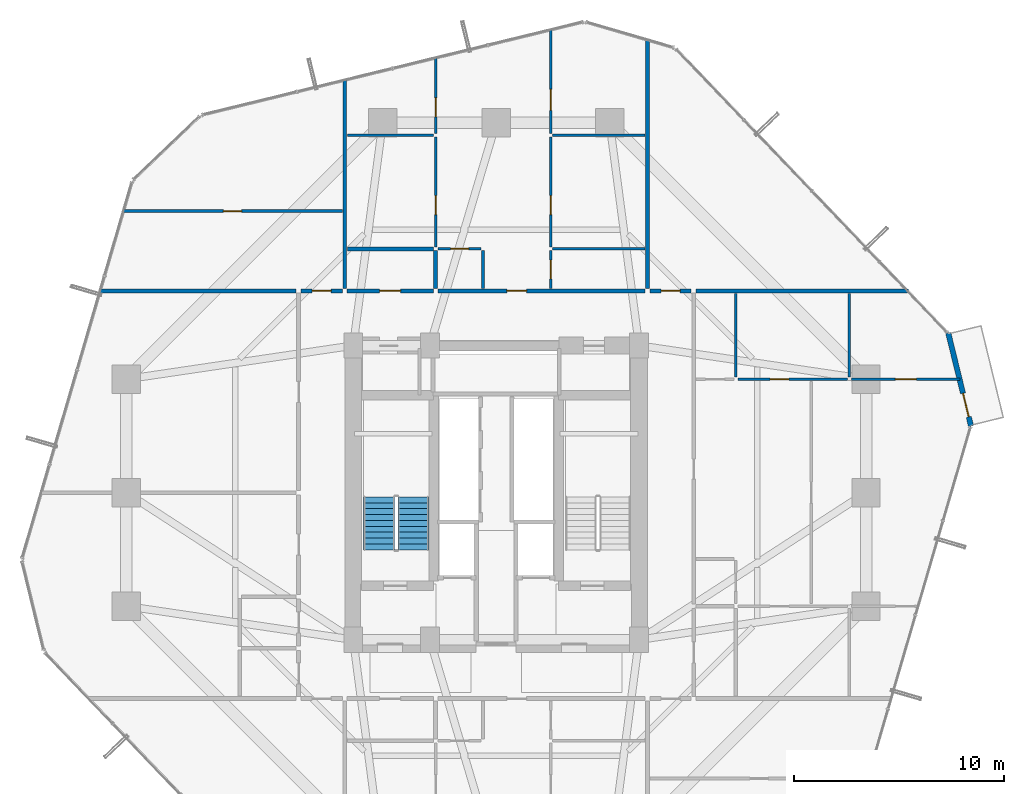
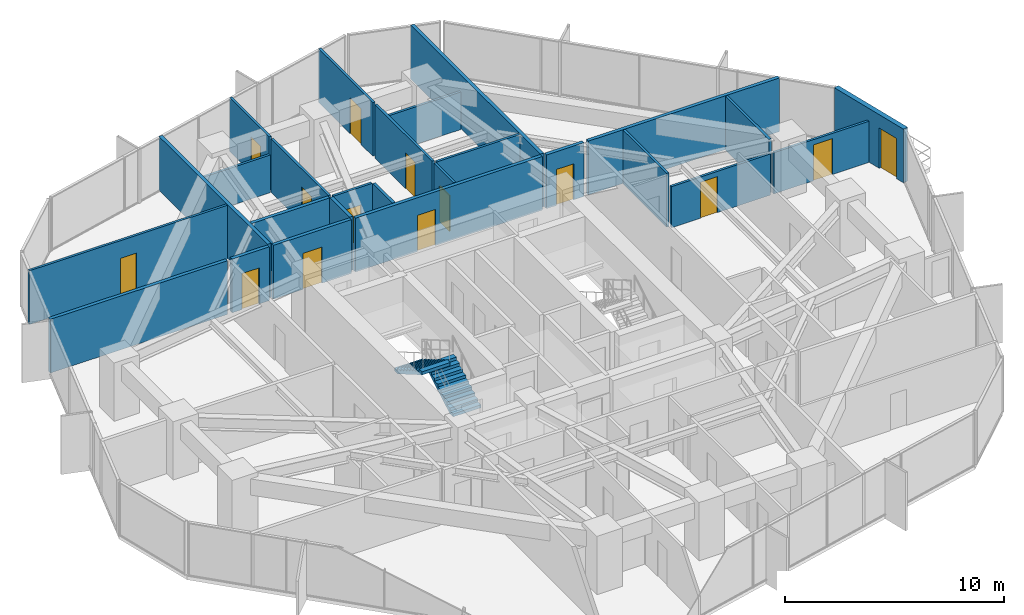
# One storey, part 34 of 37: 26 walls, 14 doors, 2 stair flights, 14 openings, 1 element without a shape of its own.
"""IFC4 building model written with IfcOpenShell, lengths in metres."""

from ifc_helpers import new_model, si_unit, direction, frame, frame_2d, origin, place, context, subcontext, project, spatial, polyline, rectangle, outline, extrude, source, transform, mapped, material, layer, layer_set, type_object, element, fill, aggregate, save


model = new_model("IFC4")

# Units and contexts
model_context = context("Model", 3, precision=1e-05, world=origin(), true_north=direction((0.0, 1.0)))
body_context = subcontext(model_context, "Body", "Model", "MODEL_VIEW")
ifc_project = project(units=[si_unit("LENGTHUNIT", "METRE"), si_unit("AREAUNIT", "SQUARE_METRE"), si_unit("VOLUMEUNIT", "CUBIC_METRE"), si_unit("PLANEANGLEUNIT", "RADIAN"), si_unit("MASSUNIT", "GRAM", prefix="KILO")], contexts=[model_context])

# Site, building, storey
site_placement = place(None, origin())
site = spatial("IfcSite", under=ifc_project, at=site_placement, CompositionType="ELEMENT")
building_placement = place(site_placement, origin())
building = spatial("IfcBuilding", under=site, at=building_placement, Name="Veraguas Prism Commons", CompositionType="ELEMENT")
storey_placement = place(building_placement, frame((0.0, 0.0, 70.60009765625)))
storey = spatial("IfcBuildingStorey", under=building, at=storey_placement, Name="L19", CompositionType="ELEMENT", Elevation=70.60009765625)

# Walls
ifc_material_1 = material(Name="Autoclaved aerated masonry block 10 MPa", Category="masonry")
ifc_layer_1 = layer(ifc_material_1, 0.179931640625, Name="Corridor and Inter-Tenancy Partition 180", Category="masonry")
ifc_layer_set_1 = layer_set([ifc_layer_1], Name="Autoclaved aerated masonry block 10 MPa")
wall_type_1 = type_object("IfcWallType", Name="Corridor and Inter-Tenancy Partition 180", PredefinedType="PARTITIONING", material=ifc_layer_set_1)
wall_1_placement = place(storey_placement, frame((16.800048828125, 33.719970703125, 0.0), z_axis=(0.0, 0.0, 1.0), x_axis=(0.0, 1.0, 0.0)))
element("IfcWall", 1, at=wall_1_placement, inside=storey, type_object=wall_type_1, Name="WL-L19-PT017", PredefinedType="PARTITIONING", context=body_context, shape_type="SweptSolid", body=[
    extrude(rectangle(XDim=9.9482421875, YDim=0.179931640625, at=frame_2d((4.97412109375, 0.0))), origin(), (0.0, 0.0, 1.0), 3.0),
])
wall_2_placement = place(storey_placement, frame((31.199951171875, 33.719970703125, 0.0), z_axis=(0.0, 0.0, 1.0), x_axis=(0.0, 1.0, 0.0)))
element("IfcWall", 2, at=wall_2_placement, inside=storey, type_object=wall_type_1, Name="WL-L19-PT018", PredefinedType="PARTITIONING", context=body_context, shape_type="SweptSolid", body=[
    extrude(rectangle(XDim=11.85791015625, YDim=0.179931640625, at=frame_2d((5.928955078125, 0.0))), origin(), (0.0, 0.0, 1.0), 3.0),
])

# Wall, opening, door
wall_3_placement = place(storey_placement, frame((16.909912109375, 33.60009765625, 0.0), z_axis=(0.0, 0.0, 1.0), x_axis=(1.0, 0.0, 0.0)))
wall_3 = element("IfcWall", 3, at=wall_3_placement, inside=storey, type_object=wall_type_1, Name="WL-L19-PT019", PredefinedType="PARTITIONING", context=body_context, shape_type="SweptSolid", body=[
    extrude(rectangle(XDim=4.10009765625, YDim=0.179931640625, at=frame_2d((2.050048828125, 0.0))), origin(), (0.0, 0.0, 1.0), 3.0),
])
opening_1_placement = place(wall_3_placement, frame((1.550048828125, 0.0, 0.0)))
opening_1 = element("IfcOpeningElement", 4, at=opening_1_placement, cuts=wall_3, Name="Opening DR-13", PredefinedType="OPENING", context=body_context, shape_type="SweptSolid", body=[
    extrude(rectangle(XDim=1.0, YDim=2.010009765625, at=frame_2d((0.5, 1.0048828125))), frame((0.0, 0.099853515625, 0.0), z_axis=(0.0, -1.0, 0.0), x_axis=(1.0, 0.0, 0.0)), (0.0, 0.0, 1.0), 0.199951171875),
])
ifc_material_2 = material(Name="Steel fire-rated door assembly", Category="steel")
door_type_1 = type_object("IfcDoorType", Name="Core Accessible WC and Clinic Fire Door 1000x2010", OperationType="NOTDEFINED", PredefinedType="DOOR", material=ifc_material_2)
shared_shape_1 = source(origin(), body_context, "Body", "SweptSolid", [
    extrude(rectangle(XDim=1.0, YDim=2.010009765625, at=frame_2d((0.5, 1.0048828125))), frame((0.0, 0.02490234375, 0.0), z_axis=(0.0, -1.0, 0.0), x_axis=(1.0, 0.0, 0.0)), (0.0, 0.0, 1.0), 0.050048828125),
])
door_1_placement = place(opening_1_placement, origin())
door_1 = element("IfcDoor", 5, at=door_1_placement, inside=storey, type_object=door_type_1, Name="Residents Study Alcove 19B Door", OperationType="SINGLE_SWING_RIGHT", OverallHeight=2.010009765625, OverallWidth=1.0, PredefinedType="DOOR", context=body_context, shape_type="MappedRepresentation", body=[
    mapped(shared_shape_1, transform((0.0, 0.0, 0.0), scale=1.0)),
])
fill(opening_1, door_1)

wall_4_placement = place(storey_placement, frame((21.22998046875, 33.60009765625, 0.0), z_axis=(0.0, 0.0, 1.0), x_axis=(1.0, 0.0, 0.0)))
wall_4 = element("IfcWall", 6, at=wall_4_placement, inside=storey, type_object=wall_type_1, Name="WL-L19-PT020", PredefinedType="PARTITIONING", context=body_context, shape_type="SweptSolid", body=[
    extrude(rectangle(XDim=9.860107421875, YDim=0.179931640625, at=frame_2d((4.93017578125, 0.0))), origin(), (0.0, 0.0, 1.0), 3.0),
])
opening_2_placement = place(wall_4_placement, frame((3.27587890625, 0.0, 0.0)))
opening_2 = element("IfcOpeningElement", 7, at=opening_2_placement, cuts=wall_4, Name="Opening DR-01", PredefinedType="OPENING", context=body_context, shape_type="SweptSolid", body=[
    extrude(rectangle(XDim=0.949951171875, YDim=2.02001953125, at=frame_2d((0.47509765625, 1.010009765625))), frame((0.0, 0.099853515625, 0.0), z_axis=(0.0, -1.0, 0.0), x_axis=(1.0, 0.0, 0.0)), (0.0, 0.0, 1.0), 0.199951171875),
])
ifc_material_3 = material(Name="Anodised aluminium EN AW-6063 T6", Category="aluminium")
door_type_2 = type_object("IfcDoorType", Name="Apartment Entrance Fire Door 950x2020", OperationType="NOTDEFINED", PredefinedType="DOOR", material=ifc_material_3)
shared_shape_2 = source(origin(), body_context, "Body", "SweptSolid", [
    extrude(rectangle(XDim=0.949951171875, YDim=2.02001953125, at=frame_2d((0.47509765625, 1.010009765625))), frame((0.0, 0.02490234375, 0.0), z_axis=(0.0, -1.0, 0.0), x_axis=(1.0, 0.0, 0.0)), (0.0, 0.0, 1.0), 0.050048828125),
])
door_2_placement = place(opening_2_placement, origin())
door_2 = element("IfcDoor", 8, at=door_2_placement, inside=storey, type_object=door_type_2, Name="Flat 19B Entrance Door", OperationType="SINGLE_SWING_LEFT", OverallHeight=2.02001953125, OverallWidth=0.949951171875, PredefinedType="DOOR", context=body_context, shape_type="MappedRepresentation", body=[
    mapped(shared_shape_2, transform((0.0, 0.0, 0.0), scale=1.0)),
])
fill(opening_2, door_2)

# Walls
wall_5_placement = place(storey_placement, frame((16.919921875, 35.60009765625, 0.0), z_axis=(0.0, 0.0, 1.0), x_axis=(1.0, 0.0, 0.0)))
element("IfcWall", 9, at=wall_5_placement, inside=storey, type_object=wall_type_1, Name="WL-L19-PT025", PredefinedType="PARTITIONING", context=body_context, shape_type="SweptSolid", body=[
    extrude(rectangle(XDim=4.10009765625, YDim=0.179931640625, at=frame_2d((2.050048828125, 0.0))), origin(), (0.0, 0.0, 1.0), 3.0),
])
wall_6_placement = place(storey_placement, frame((21.1201171875, 33.719970703125, 0.0), z_axis=(0.0, 0.0, 1.0), x_axis=(0.0, 1.0, 0.0)))
element("IfcWall", 10, at=wall_6_placement, inside=storey, type_object=wall_type_1, Name="WL-L19-PT026", PredefinedType="PARTITIONING", context=body_context, shape_type="SweptSolid", body=[
    extrude(rectangle(XDim=1.800048828125, YDim=0.179931640625, at=frame_2d((0.89990234375, 0.0))), origin(), (0.0, 0.0, 1.0), 3.0),
])
wall_7_placement = place(storey_placement, frame((14.47998046875, 33.60009765625, 0.0), z_axis=(0.0, 0.0, 1.0), x_axis=(-1.0, 0.0, 0.0)))
element("IfcWall", 11, at=wall_7_placement, inside=storey, type_object=wall_type_1, Name="WL-L19-PT034", PredefinedType="PARTITIONING", context=body_context, shape_type="SweptSolid", body=[
    extrude(rectangle(XDim=9.360595703125, YDim=0.179931640625, at=frame_2d((4.68017578125, 0.0))), origin(), (0.0, 0.0, 1.0), 3.0),
])
wall_8_placement = place(storey_placement, frame((33.52001953125, 33.60009765625, 0.0), z_axis=(0.0, 0.0, 1.0), x_axis=(1.0, 0.0, 0.0)))
element("IfcWall", 12, at=wall_8_placement, inside=storey, type_object=wall_type_1, Name="WL-L19-PT045", PredefinedType="PARTITIONING", context=body_context, shape_type="SweptSolid", body=[
    extrude(rectangle(XDim=10.099853515625, YDim=0.179931640625, at=frame_2d((5.0498046875, 0.0))), origin(), (0.0, 0.0, 1.0), 3.0),
])

# Wall, opening, door
wall_9_placement = place(storey_placement, frame((14.719970703125, 33.60009765625, 0.0), z_axis=(0.0, 0.0, 1.0), x_axis=(1.0, 0.0, 0.0)))
wall_9 = element("IfcWall", 13, at=wall_9_placement, inside=storey, type_object=wall_type_1, Name="WL-L19-PT064", PredefinedType="PARTITIONING", context=body_context, shape_type="SweptSolid", body=[
    extrude(rectangle(XDim=1.9599609375, YDim=0.179931640625, at=frame_2d((0.97998046875, 0.0))), origin(), (0.0, 0.0, 1.0), 3.0),
])
opening_3_placement = place(wall_9_placement, frame((0.530029296875, 0.0, 0.0)))
opening_3 = element("IfcOpeningElement", 14, at=opening_3_placement, cuts=wall_9, Name="Opening DR-14", PredefinedType="OPENING", context=body_context, shape_type="SweptSolid", body=[
    extrude(rectangle(XDim=0.89990234375, YDim=2.010009765625, at=frame_2d((0.449951171875, 1.0048828125))), frame((0.0, 0.099853515625, 0.0), z_axis=(0.0, -1.0, 0.0), x_axis=(1.0, 0.0, 0.0)), (0.0, 0.0, 1.0), 0.199951171875),
])
door_type_3 = type_object("IfcDoorType", Name="Core Service Room Fire Door 900x2010", OperationType="NOTDEFINED", PredefinedType="DOOR", material=ifc_material_2)
shared_shape_3 = source(origin(), body_context, "Body", "SweptSolid", [
    extrude(rectangle(XDim=0.89990234375, YDim=2.010009765625, at=frame_2d((0.449951171875, 1.0048828125))), frame((0.0, 0.02490234375, 0.0), z_axis=(0.0, -1.0, 0.0), x_axis=(1.0, 0.0, 0.0)), (0.0, 0.0, 1.0), 0.050048828125),
])
door_3_placement = place(opening_3_placement, origin())
door_3 = element("IfcDoor", 15, at=door_3_placement, inside=storey, type_object=door_type_3, Name="Community Co-op Kitchen Door", OperationType="SINGLE_SWING_RIGHT", OverallHeight=2.010009765625, OverallWidth=0.89990234375, PredefinedType="DOOR", context=body_context, shape_type="MappedRepresentation", body=[
    mapped(shared_shape_3, transform((0.0, 0.0, 0.0), scale=1.0)),
])
fill(opening_3, door_3)

wall_10_placement = place(storey_placement, frame((31.320068359375, 33.60009765625, 0.0), z_axis=(0.0, 0.0, 1.0), x_axis=(1.0, 0.0, 0.0)))
wall_10 = element("IfcWall", 16, at=wall_10_placement, inside=storey, type_object=wall_type_1, Name="WL-L19-PT066", PredefinedType="PARTITIONING", context=body_context, shape_type="SweptSolid", body=[
    extrude(rectangle(XDim=1.9599609375, YDim=0.179931640625, at=frame_2d((0.97998046875, 0.0))), origin(), (0.0, 0.0, 1.0), 3.0),
])
opening_4_placement = place(wall_10_placement, frame((0.530029296875, 0.0, 0.0)))
opening_4 = element("IfcOpeningElement", 17, at=opening_4_placement, cuts=wall_10, Name="Opening DR-14", PredefinedType="OPENING", context=body_context, shape_type="SweptSolid", body=[
    extrude(rectangle(XDim=0.89990234375, YDim=2.010009765625, at=frame_2d((0.449951171875, 1.0048828125))), frame((0.0, 0.099853515625, 0.0), z_axis=(0.0, -1.0, 0.0), x_axis=(1.0, 0.0, 0.0)), (0.0, 0.0, 1.0), 0.199951171875),
])
door_4_placement = place(opening_4_placement, origin())
door_4 = element("IfcDoor", 18, at=door_4_placement, inside=storey, type_object=door_type_3, Name="Residents Cycle and Pram Store NE Door", OperationType="SINGLE_SWING_RIGHT", OverallHeight=2.010009765625, OverallWidth=0.89990234375, PredefinedType="DOOR", context=body_context, shape_type="MappedRepresentation", body=[
    mapped(shared_shape_3, transform((0.0, 0.0, 0.0), scale=1.0)),
])
fill(opening_4, door_4)

ifc_material_4 = material(Name="Precast concrete C40/50", Category="concrete")
ifc_layer_2 = layer(ifc_material_4, 0.25, Name="External Loggia and Portal Wall 250", Category="concrete")
ifc_layer_set_2 = layer_set([ifc_layer_2], Name="Precast concrete C40/50")
wall_type_2 = type_object("IfcWallType", Name="External Loggia and Portal Wall 250", PredefinedType="SOLIDWALL", material=ifc_layer_set_2)
wall_11_placement = place(storey_placement, frame((46.596435546875, 27.159423828125, 0.0), z_axis=(0.0, 0.0, 1.0), x_axis=(-0.237201591256, 0.971460449584, 0.0)))
wall_11 = element("IfcWall", 19, at=wall_11_placement, inside=storey, type_object=wall_type_2, Name="Corner Loggia Wall L19-C1", PredefinedType="SOLIDWALL", context=body_context, shape_type="SweptSolid", body=[
    extrude(rectangle(XDim=4.580078125, YDim=0.25, at=frame_2d((2.2900390625, 0.0))), origin(), (0.0, 0.0, 1.0), 3.0),
])
opening_5_placement = place(wall_11_placement, frame((0.4599609375, 0.0, 0.0)))
opening_5 = element("IfcOpeningElement", 20, at=opening_5_placement, cuts=wall_11, Name="Opening DR-10", PredefinedType="OPENING", context=body_context, shape_type="SweptSolid", body=[
    extrude(rectangle(XDim=1.14990234375, YDim=2.25, at=frame_2d((0.574951171875, 1.125))), frame((0.0, 0.135009765625, 0.0), z_axis=(0.0, -1.0, 0.0), x_axis=(1.0, 0.0, 0.0)), (0.0, 0.0, 1.0), 0.27001953125),
])
door_type_4 = type_object("IfcDoorType", Name="Glazed Loggia and Terrace Door 1150x2250", OperationType="NOTDEFINED", PredefinedType="DOOR", material=ifc_material_3)
shared_shape_4 = source(origin(), body_context, "Body", "SweptSolid", [
    extrude(rectangle(XDim=1.14990234375, YDim=2.25, at=frame_2d((0.574951171875, 1.125))), frame((0.0, 0.02490234375, 0.0), z_axis=(0.0, -1.0, 0.0), x_axis=(1.0, 0.0, 0.0)), (0.0, 0.0, 1.0), 0.050048828125),
])
door_5_placement = place(opening_5_placement, frame((1.14990234375, 0.0, 0.0), z_axis=(0.0, 0.0, 1.0), x_axis=(-1.0, 0.0, 0.0)))
door_5 = element("IfcDoor", 21, at=door_5_placement, inside=storey, type_object=door_type_4, Name="Recessed Loggia Door L19-C1", OperationType="SINGLE_SWING_LEFT", OverallHeight=2.25, OverallWidth=1.14990234375, PredefinedType="DOOR", context=body_context, shape_type="MappedRepresentation", body=[
    mapped(shared_shape_4, transform((0.0, 0.0, 0.0), scale=1.0)),
])
fill(opening_5, door_5)

# Wall
ifc_material_5 = material(Name="Lightweight acoustic gypsum board")
ifc_layer_3 = layer(ifc_material_5, 0.125, Name="Internal Apartment Room Partition 125")
ifc_layer_set_3 = layer_set([ifc_layer_3], Name="Lightweight acoustic gypsum board")
wall_type_3 = type_object("IfcWallType", Name="Internal Apartment Room Partition 125", PredefinedType="PARTITIONING", material=ifc_layer_set_3)
wall_12_placement = place(storey_placement, frame((16.919921875, 41.0, 0.0), z_axis=(0.0, 0.0, 1.0), x_axis=(1.0, 0.0, 0.0)))
element("IfcWall", 22, at=wall_12_placement, inside=storey, type_object=wall_type_3, Name="WL-L19-PT021", PredefinedType="PARTITIONING", context=body_context, shape_type="SweptSolid", body=[
    extrude(rectangle(XDim=4.10009765625, YDim=0.125, at=frame_2d((2.050048828125, 0.0))), origin(), (0.0, 0.0, 1.0), 2.099853515625),
])

# Wall, opening, door
wall_13_placement = place(storey_placement, frame((21.1201171875, 41.10009765625, 0.0), z_axis=(0.0, 0.0, 1.0), x_axis=(0.0, 1.0, 0.0)))
wall_13 = element("IfcWall", 23, at=wall_13_placement, inside=storey, type_object=wall_type_3, Name="WL-L19-PT022", PredefinedType="PARTITIONING", context=body_context, shape_type="SweptSolid", body=[
    extrude(rectangle(XDim=3.622802734375, YDim=0.125, at=frame_2d((1.8115234375, 0.0))), origin(), (0.0, 0.0, 1.0), 3.0),
])
opening_6_placement = place(wall_13_placement, frame((0.78076171875, 0.0, 0.0)))
opening_6 = element("IfcOpeningElement", 24, at=opening_6_placement, cuts=wall_13, Name="Opening DR-02", PredefinedType="OPENING", context=body_context, shape_type="SweptSolid", body=[
    extrude(rectangle(XDim=0.89990234375, YDim=2.010009765625, at=frame_2d((0.449951171875, 1.0048828125))), frame((0.0, 0.072509765625, 0.0), z_axis=(0.0, -1.0, 0.0), x_axis=(1.0, 0.0, 0.0)), (0.0, 0.0, 1.0), 0.14501953125),
])
ifc_material_6 = material(Name="Timber solid core hardwood", Category="wood")
door_type_5 = type_object("IfcDoorType", Name="Internal Habitable Room Door 900x2010", OperationType="NOTDEFINED", PredefinedType="DOOR", material=ifc_material_6)
door_6_placement = place(opening_6_placement, origin())
door_6 = element("IfcDoor", 25, at=door_6_placement, inside=storey, type_object=door_type_5, Name="Flat 19B Bedroom 3 Door", OperationType="SINGLE_SWING_RIGHT", OverallHeight=2.010009765625, OverallWidth=0.89990234375, PredefinedType="DOOR", context=body_context, shape_type="MappedRepresentation", body=[
    mapped(shared_shape_3, transform((0.0, 0.0, 0.0), scale=1.0)),
])
fill(opening_6, door_6)

# Wall
wall_14_placement = place(storey_placement, frame((26.69189453125, 41.0, 0.0), z_axis=(0.0, 0.0, 1.0), x_axis=(1.0, 0.0, 0.0)))
element("IfcWall", 26, at=wall_14_placement, inside=storey, type_object=wall_type_3, Name="WL-L19-PT023", PredefinedType="PARTITIONING", context=body_context, shape_type="SweptSolid", body=[
    extrude(rectangle(XDim=4.38818359375, YDim=0.125, at=frame_2d((2.194091796875, 0.0))), origin(), (0.0, 0.0, 1.0), 2.099853515625),
])

# Wall, opening, door
wall_15_placement = place(storey_placement, frame((26.592041015625, 41.10009765625, 0.0), z_axis=(0.0, 0.0, 1.0), x_axis=(0.0, 1.0, 0.0)))
wall_15 = element("IfcWall", 27, at=wall_15_placement, inside=storey, type_object=wall_type_3, Name="WL-L19-PT024", PredefinedType="PARTITIONING", context=body_context, shape_type="SweptSolid", body=[
    extrude(rectangle(XDim=4.958740234375, YDim=0.125, at=frame_2d((2.4794921875, 0.0))), origin(), (0.0, 0.0, 1.0), 3.0),
])
opening_7_placement = place(wall_15_placement, frame((1.089599609375, 0.0, 0.0)))
opening_7 = element("IfcOpeningElement", 28, at=opening_7_placement, cuts=wall_15, Name="Opening DR-04", PredefinedType="OPENING", context=body_context, shape_type="SweptSolid", body=[
    extrude(rectangle(XDim=1.0, YDim=2.010009765625, at=frame_2d((0.5, 1.0048828125))), frame((0.0, 0.072509765625, 0.0), z_axis=(0.0, -1.0, 0.0), x_axis=(1.0, 0.0, 0.0)), (0.0, 0.0, 1.0), 0.14501953125),
])
door_type_6 = type_object("IfcDoorType", Name="Accessible WC and Clinic Exam Door 1000x2010", OperationType="NOTDEFINED", PredefinedType="DOOR", material=ifc_material_3)
door_7_placement = place(opening_7_placement, origin())
door_7 = element("IfcDoor", 29, at=door_7_placement, inside=storey, type_object=door_type_6, Name="Flat 19B Study Door", OperationType="SINGLE_SWING_LEFT", OverallHeight=2.010009765625, OverallWidth=1.0, PredefinedType="DOOR", context=body_context, shape_type="MappedRepresentation", body=[
    mapped(shared_shape_1, transform((0.0, 0.0, 0.0), scale=1.0)),
])
fill(opening_7, door_7)

wall_16_placement = place(storey_placement, frame((21.1201171875, 35.699951171875, 0.0), z_axis=(0.0, 0.0, 1.0), x_axis=(0.0, 1.0, 0.0)))
wall_16 = element("IfcWall", 30, at=wall_16_placement, inside=storey, type_object=wall_type_3, Name="WL-L19-PT027", PredefinedType="PARTITIONING", context=body_context, shape_type="SweptSolid", body=[
    extrude(rectangle(XDim=5.219970703125, YDim=0.125, at=frame_2d((2.60986328125, 0.0))), origin(), (0.0, 0.0, 1.0), 3.0),
])
opening_8_placement = place(wall_16_placement, frame((1.53271484375, 0.0, 0.0)))
opening_8 = element("IfcOpeningElement", 31, at=opening_8_placement, cuts=wall_16, Name="Opening DR-02", PredefinedType="OPENING", context=body_context, shape_type="SweptSolid", body=[
    extrude(rectangle(XDim=0.89990234375, YDim=2.010009765625, at=frame_2d((0.449951171875, 1.0048828125))), frame((0.0, 0.072509765625, 0.0), z_axis=(0.0, -1.0, 0.0), x_axis=(1.0, 0.0, 0.0)), (0.0, 0.0, 1.0), 0.14501953125),
])
door_8_placement = place(opening_8_placement, origin())
door_8 = element("IfcDoor", 32, at=door_8_placement, inside=storey, type_object=door_type_5, Name="Flat 19B Bedroom 2 Door", OperationType="SINGLE_SWING_RIGHT", OverallHeight=2.010009765625, OverallWidth=0.89990234375, PredefinedType="DOOR", context=body_context, shape_type="MappedRepresentation", body=[
    mapped(shared_shape_3, transform((0.0, 0.0, 0.0), scale=1.0)),
])
fill(opening_8, door_8)

wall_17_placement = place(storey_placement, frame((21.239990234375, 35.60009765625, 0.0), z_axis=(0.0, 0.0, 1.0), x_axis=(1.0, 0.0, 0.0)))
wall_17 = element("IfcWall", 33, at=wall_17_placement, inside=storey, type_object=wall_type_3, Name="WL-L19-PT029", PredefinedType="PARTITIONING", context=body_context, shape_type="SweptSolid", body=[
    extrude(rectangle(XDim=2.050048828125, YDim=0.125, at=frame_2d((1.02490234375, 0.0))), origin(), (0.0, 0.0, 1.0), 3.0),
])
opening_9_placement = place(wall_17_placement, frame((0.594970703125, 0.0, 0.0)))
opening_9 = element("IfcOpeningElement", 34, at=opening_9_placement, cuts=wall_17, Name="Opening DR-03", PredefinedType="OPENING", context=body_context, shape_type="SweptSolid", body=[
    extrude(rectangle(XDim=0.860107421875, YDim=2.010009765625, at=frame_2d((0.43017578125, 1.0048828125))), frame((0.0, 0.072509765625, 0.0), z_axis=(0.0, -1.0, 0.0), x_axis=(1.0, 0.0, 0.0)), (0.0, 0.0, 1.0), 0.14501953125),
])
ifc_material_7 = material(Name="Timber moisture-resistant leaf", Category="wood")
door_type_7 = type_object("IfcDoorType", Name="Internal Bathroom Door 860x2010", OperationType="NOTDEFINED", PredefinedType="DOOR", material=ifc_material_7)
shared_shape_5 = source(origin(), body_context, "Body", "SweptSolid", [
    extrude(rectangle(XDim=0.860107421875, YDim=2.010009765625, at=frame_2d((0.43017578125, 1.0048828125))), frame((0.0, 0.02490234375, 0.0), z_axis=(0.0, -1.0, 0.0), x_axis=(1.0, 0.0, 0.0)), (0.0, 0.0, 1.0), 0.050048828125),
])
door_9_placement = place(opening_9_placement, origin())
door_9 = element("IfcDoor", 35, at=door_9_placement, inside=storey, type_object=door_type_7, Name="Flat 19B Bathroom Door", OperationType="SINGLE_SWING_LEFT", OverallHeight=2.010009765625, OverallWidth=0.860107421875, PredefinedType="DOOR", context=body_context, shape_type="MappedRepresentation", body=[
    mapped(shared_shape_5, transform((0.0, 0.0, 0.0), scale=1.0)),
])
fill(opening_9, door_9)

wall_18_placement = place(storey_placement, frame((26.592041015625, 33.719970703125, 0.0), z_axis=(0.0, 0.0, 1.0), x_axis=(0.0, 1.0, 0.0)))
wall_18 = element("IfcWall", 36, at=wall_18_placement, inside=storey, type_object=wall_type_3, Name="WL-L19-PT030", PredefinedType="PARTITIONING", context=body_context, shape_type="SweptSolid", body=[
    extrude(rectangle(XDim=1.800048828125, YDim=0.125, at=frame_2d((0.89990234375, 0.0))), origin(), (0.0, 0.0, 1.0), 3.0),
])
opening_10_placement = place(wall_18_placement, frame((0.449951171875, 0.0, 0.0)))
opening_10 = element("IfcOpeningElement", 37, at=opening_10_placement, cuts=wall_18, Name="Opening DR-02", PredefinedType="OPENING", context=body_context, shape_type="SweptSolid", body=[
    extrude(rectangle(XDim=0.89990234375, YDim=2.010009765625, at=frame_2d((0.449951171875, 1.0048828125))), frame((0.0, 0.072509765625, 0.0), z_axis=(0.0, -1.0, 0.0), x_axis=(1.0, 0.0, 0.0)), (0.0, 0.0, 1.0), 0.14501953125),
])
door_10_placement = place(opening_10_placement, origin())
door_10 = element("IfcDoor", 38, at=door_10_placement, inside=storey, type_object=door_type_5, Name="Flat 19B Kitchen Door", OperationType="SINGLE_SWING_RIGHT", OverallHeight=2.010009765625, OverallWidth=0.89990234375, PredefinedType="DOOR", context=body_context, shape_type="MappedRepresentation", body=[
    mapped(shared_shape_3, transform((0.0, 0.0, 0.0), scale=1.0)),
])
fill(opening_10, door_10)

# Wall
wall_19_placement = place(storey_placement, frame((26.69189453125, 35.60009765625, 0.0), z_axis=(0.0, 0.0, 1.0), x_axis=(1.0, 0.0, 0.0)))
element("IfcWall", 39, at=wall_19_placement, inside=storey, type_object=wall_type_3, Name="WL-L19-PT031", PredefinedType="PARTITIONING", context=body_context, shape_type="SweptSolid", body=[
    extrude(rectangle(XDim=4.38818359375, YDim=0.125, at=frame_2d((2.194091796875, 0.0))), origin(), (0.0, 0.0, 1.0), 3.0),
])

# Wall, opening, door
wall_20_placement = place(storey_placement, frame((26.592041015625, 35.699951171875, 0.0), z_axis=(0.0, 0.0, 1.0), x_axis=(0.0, 1.0, 0.0)))
wall_20 = element("IfcWall", 40, at=wall_20_placement, inside=storey, type_object=wall_type_3, Name="WL-L19-PT032", PredefinedType="PARTITIONING", context=body_context, shape_type="SweptSolid", body=[
    extrude(rectangle(XDim=5.219970703125, YDim=0.125, at=frame_2d((2.60986328125, 0.0))), origin(), (0.0, 0.0, 1.0), 3.0),
])
opening_11_placement = place(wall_20_placement, frame((1.53271484375, 0.0, 0.0)))
opening_11 = element("IfcOpeningElement", 41, at=opening_11_placement, cuts=wall_20, Name="Opening DR-02", PredefinedType="OPENING", context=body_context, shape_type="SweptSolid", body=[
    extrude(rectangle(XDim=0.89990234375, YDim=2.010009765625, at=frame_2d((0.449951171875, 1.0048828125))), frame((0.0, 0.072509765625, 0.0), z_axis=(0.0, -1.0, 0.0), x_axis=(1.0, 0.0, 0.0)), (0.0, 0.0, 1.0), 0.14501953125),
])
door_11_placement = place(opening_11_placement, origin())
door_11 = element("IfcDoor", 42, at=door_11_placement, inside=storey, type_object=door_type_5, Name="Flat 19B Bedroom 1 Door", OperationType="SINGLE_SWING_LEFT", OverallHeight=2.010009765625, OverallWidth=0.89990234375, PredefinedType="DOOR", context=body_context, shape_type="MappedRepresentation", body=[
    mapped(shared_shape_3, transform((0.0, 0.0, 0.0), scale=1.0)),
])
fill(opening_11, door_11)

# Wall
wall_21_placement = place(storey_placement, frame((40.800048828125, 29.5, 0.0), z_axis=(0.0, 0.0, 1.0), x_axis=(0.0, 1.0, 0.0)))
element("IfcWall", 43, at=wall_21_placement, inside=storey, type_object=wall_type_3, Name="WL-L19-PT050", PredefinedType="PARTITIONING", context=body_context, shape_type="SweptSolid", body=[
    extrude(rectangle(XDim=3.97998046875, YDim=0.125, at=frame_2d((1.989990234375, 0.0))), origin(), (0.0, 0.0, 1.0), 3.0),
])

# Wall, opening, door
wall_22_placement = place(storey_placement, frame((40.89990234375, 29.39990234375, 0.0), z_axis=(0.0, 0.0, 1.0), x_axis=(1.0, 0.0, 0.0)))
wall_22 = element("IfcWall", 44, at=wall_22_placement, inside=storey, type_object=wall_type_3, Name="WL-L19-PT051", PredefinedType="PARTITIONING", context=body_context, shape_type="SweptSolid", body=[
    extrude(rectangle(XDim=5.180419921875, YDim=0.125, at=frame_2d((2.59033203125, 0.0))), origin(), (0.0, 0.0, 1.0), 2.298828125),
])
opening_12_placement = place(wall_22_placement, frame((2.090087890625, 0.0, 0.0)))
opening_12 = element("IfcOpeningElement", 45, at=opening_12_placement, cuts=wall_22, Name="Opening DR-04", PredefinedType="OPENING", context=body_context, shape_type="SweptSolid", body=[
    extrude(rectangle(XDim=1.0, YDim=2.010009765625, at=frame_2d((0.5, 1.0048828125))), frame((0.0, 0.072509765625, 0.0), z_axis=(0.0, -1.0, 0.0), x_axis=(1.0, 0.0, 0.0)), (0.0, 0.0, 1.0), 0.14501953125),
])
door_12_placement = place(opening_12_placement, origin())
door_12 = element("IfcDoor", 46, at=door_12_placement, inside=storey, type_object=door_type_6, Name="Flat 19C Study Door", OperationType="SINGLE_SWING_LEFT", OverallHeight=2.010009765625, OverallWidth=1.0, PredefinedType="DOOR", context=body_context, shape_type="MappedRepresentation", body=[
    mapped(shared_shape_1, transform((0.0, 0.0, 0.0), scale=1.0)),
])
fill(opening_12, door_12)

# Wall
wall_23_placement = place(storey_placement, frame((35.39990234375, 29.5, 0.0), z_axis=(0.0, 0.0, 1.0), x_axis=(0.0, 1.0, 0.0)))
element("IfcWall", 47, at=wall_23_placement, inside=storey, type_object=wall_type_3, Name="WL-L19-PT059", PredefinedType="PARTITIONING", context=body_context, shape_type="SweptSolid", body=[
    extrude(rectangle(XDim=3.97998046875, YDim=0.125, at=frame_2d((1.989990234375, 0.0))), origin(), (0.0, 0.0, 1.0), 3.0),
])

# Wall, opening, door
wall_24_placement = place(storey_placement, frame((35.5, 29.39990234375, 0.0), z_axis=(0.0, 0.0, 1.0), x_axis=(1.0, 0.0, 0.0)))
wall_24 = element("IfcWall", 48, at=wall_24_placement, inside=storey, type_object=wall_type_3, Name="WL-L19-PT060", PredefinedType="PARTITIONING", context=body_context, shape_type="SweptSolid", body=[
    extrude(rectangle(XDim=5.219970703125, YDim=0.125, at=frame_2d((2.60986328125, 0.0))), origin(), (0.0, 0.0, 1.0), 2.298828125),
])
opening_13_placement = place(wall_24_placement, frame((1.53271484375, 0.0, 0.0)))
opening_13 = element("IfcOpeningElement", 49, at=opening_13_placement, cuts=wall_24, Name="Opening DR-02", PredefinedType="OPENING", context=body_context, shape_type="SweptSolid", body=[
    extrude(rectangle(XDim=0.89990234375, YDim=2.010009765625, at=frame_2d((0.449951171875, 1.0048828125))), frame((0.0, 0.072509765625, 0.0), z_axis=(0.0, -1.0, 0.0), x_axis=(1.0, 0.0, 0.0)), (0.0, 0.0, 1.0), 0.14501953125),
])
door_13_placement = place(opening_13_placement, origin())
door_13 = element("IfcDoor", 50, at=door_13_placement, inside=storey, type_object=door_type_5, Name="Flat 19C Bedroom 1 Door", OperationType="SINGLE_SWING_RIGHT", OverallHeight=2.010009765625, OverallWidth=0.89990234375, PredefinedType="DOOR", context=body_context, shape_type="MappedRepresentation", body=[
    mapped(shared_shape_3, transform((0.0, 0.0, 0.0), scale=1.0)),
])
fill(opening_13, door_13)

wall_25_placement = place(storey_placement, frame((6.229248046875, 37.39990234375, 0.0), z_axis=(0.0, 0.0, 1.0), x_axis=(1.0, 0.0, 0.0)))
wall_25 = element("IfcWall", 51, at=wall_25_placement, inside=storey, type_object=wall_type_3, Name="WL-L19-PT065", PredefinedType="PARTITIONING", context=body_context, shape_type="SweptSolid", body=[
    extrude(rectangle(XDim=10.45068359375, YDim=0.125, at=frame_2d((5.225341796875, 0.0))), origin(), (0.0, 0.0, 1.0), 3.0),
])
opening_14_placement = place(wall_25_placement, frame((4.79541015625, 0.0, 0.0)))
opening_14 = element("IfcOpeningElement", 52, at=opening_14_placement, cuts=wall_25, Name="Opening DR-03", PredefinedType="OPENING", context=body_context, shape_type="SweptSolid", body=[
    extrude(rectangle(XDim=0.860107421875, YDim=2.010009765625, at=frame_2d((0.43017578125, 1.0048828125))), frame((0.0, 0.072509765625, 0.0), z_axis=(0.0, -1.0, 0.0), x_axis=(1.0, 0.0, 0.0)), (0.0, 0.0, 1.0), 0.14501953125),
])
door_14_placement = place(opening_14_placement, origin())
door_14 = element("IfcDoor", 53, at=door_14_placement, inside=storey, type_object=door_type_7, Name="Corner Store NW Door", OperationType="SINGLE_SWING_LEFT", OverallHeight=2.010009765625, OverallWidth=0.860107421875, PredefinedType="DOOR", context=body_context, shape_type="MappedRepresentation", body=[
    mapped(shared_shape_5, transform((0.0, 0.0, 0.0), scale=1.0)),
])
fill(opening_14, door_14)

# Wall
ifc_layer_4 = layer(ifc_material_5, 0.14990234375, Name="Wet Room and Clinic Acoustic Partition 150")
ifc_layer_set_4 = layer_set([ifc_layer_4], Name="Lightweight acoustic gypsum board")
wall_type_4 = type_object("IfcWallType", Name="Wet Room and Clinic Acoustic Partition 150", PredefinedType="PARTITIONING", material=ifc_layer_set_4)
wall_26_placement = place(storey_placement, frame((23.3701171875, 33.719970703125, 0.0), z_axis=(0.0, 0.0, 1.0), x_axis=(0.0, 1.0, 0.0)))
element("IfcWall", 54, at=wall_26_placement, inside=storey, type_object=wall_type_4, Name="WL-L19-PT028", PredefinedType="PARTITIONING", context=body_context, shape_type="SweptSolid", body=[
    extrude(rectangle(XDim=1.800048828125, YDim=0.14990234375, at=frame_2d((0.89990234375, 0.0))), origin(), (0.0, 0.0, 1.0), 3.0),
])

# Stair, stair flights
ifc_material_8 = material(Name="Precast concrete C45/55", Category="concrete")
stair_type = type_object("IfcStairType", Name="Dogleg Core Stair 1480W 20R 05", PredefinedType="HALF_TURN_STAIR", material=ifc_material_8)
stair_placement = place(storey_placement, origin())
stair = element("IfcStair", 55, at=stair_placement, inside=storey, type_object=stair_type, Name="Protected Exit Stair ST-01 L19", PredefinedType="HALF_TURN_STAIR")
stair_flight_type = type_object("IfcStairFlightType", Name="Precast Stair Flight 1480W 10R 05", PredefinedType="STRAIGHT", material=ifc_material_8)
stair_flight_1_placement = place(storey_placement, frame((20.06005859375, 21.280029296875, 0.0), z_axis=(0.0, 0.0, 1.0), x_axis=(0.0, 1.0, 0.0)))
stair_flight_1 = element("IfcStairFlight", 56, at=stair_flight_1_placement, type_object=stair_flight_type, Name="ST-05 Flight 1", NumberOfRisers=10, NumberOfTreads=9, PredefinedType="STRAIGHT", RiserHeight=0.1625, TreadLength=0.28, context=body_context, shape_type="SweptSolid", body=[
    extrude(outline(polyline([(0.0, 0.0), (0.0, 0.16259765625), (0.280029296875, 0.16259765625), (0.280029296875, 0.324951171875), (0.56005859375, 0.324951171875), (0.56005859375, 0.487548828125), (0.840087890625, 0.487548828125), (0.840087890625, 0.64990234375), (1.1201171875, 0.64990234375), (1.1201171875, 0.8125), (1.39990234375, 0.8125), (1.39990234375, 0.97509765625), (1.679931640625, 0.97509765625), (1.679931640625, 1.137451171875), (1.9599609375, 1.137451171875), (1.9599609375, 1.300048828125), (2.239990234375, 1.300048828125), (2.239990234375, 1.46240234375), (2.52001953125, 1.46240234375), (2.52001953125, 1.625), (2.52001953125, 1.2890625), (0.298583984375, 0.0), (0.0, 0.0)])), frame((0.0, 0.739990234375, 0.0), z_axis=(0.0, -1.0, 0.0), x_axis=(1.0, 0.0, 0.0)), (0.0, 0.0, 1.0), 1.47998046875),
])
stair_flight_2_placement = place(storey_placement, frame((18.429931640625, 23.800048828125, 1.625), z_axis=(0.0, 0.0, 1.0), x_axis=(0.0, -1.0, 0.0)))
stair_flight_2 = element("IfcStairFlight", 57, at=stair_flight_2_placement, type_object=stair_flight_type, Name="ST-05 Flight 2", NumberOfRisers=10, NumberOfTreads=9, PredefinedType="STRAIGHT", RiserHeight=0.1625, TreadLength=0.28, context=body_context, shape_type="SweptSolid", body=[
    extrude(outline(polyline([(0.0, 0.0), (0.0, 0.16259765625), (0.280029296875, 0.16259765625), (0.280029296875, 0.324951171875), (0.56005859375, 0.324951171875), (0.56005859375, 0.487548828125), (0.840087890625, 0.487548828125), (0.840087890625, 0.64990234375), (1.1201171875, 0.64990234375), (1.1201171875, 0.8125), (1.39990234375, 0.8125), (1.39990234375, 0.97509765625), (1.679931640625, 0.97509765625), (1.679931640625, 1.137451171875), (1.9599609375, 1.137451171875), (1.9599609375, 1.300048828125), (2.239990234375, 1.300048828125), (2.239990234375, 1.46240234375), (2.52001953125, 1.46240234375), (2.52001953125, 1.625), (2.52001953125, 1.2890625), (0.298583984375, 0.0), (0.0, 0.0)])), frame((0.0, 0.739990234375, 0.0), z_axis=(0.0, -1.0, 0.0), x_axis=(1.0, 0.0, 0.0)), (0.0, 0.0, 1.0), 1.47998046875),
])
aggregate(stair, [stair_flight_1, stair_flight_2])

save(model, "model.ifc")
